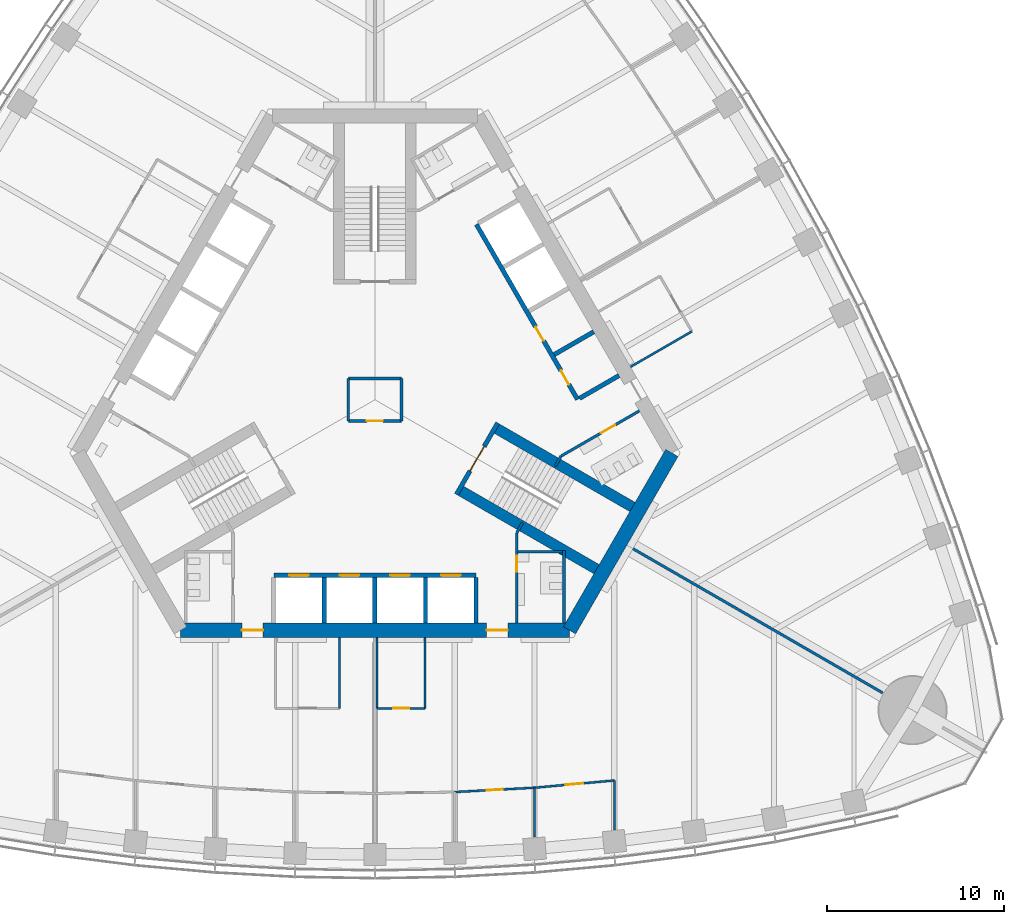
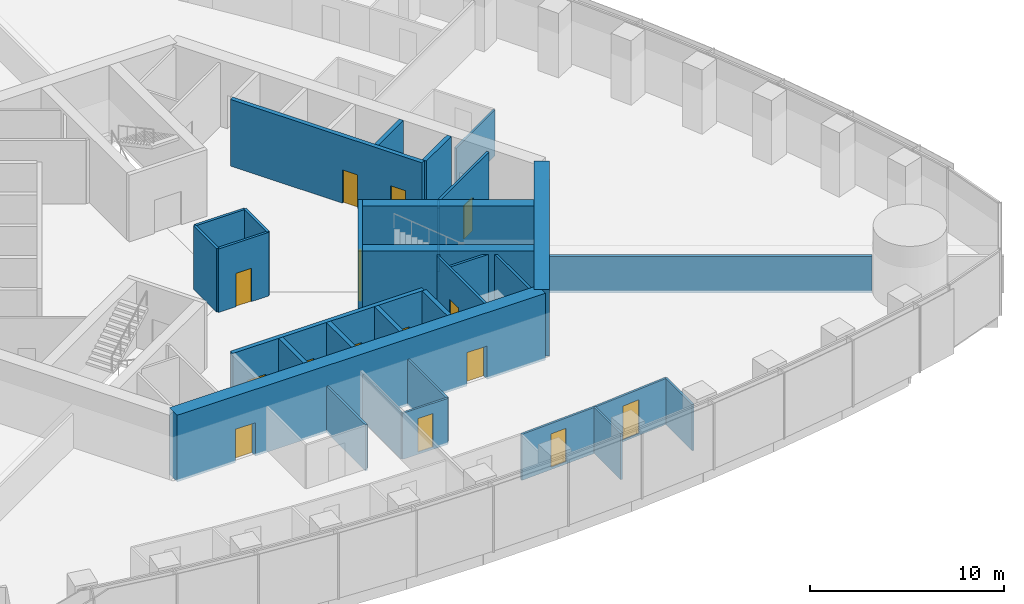
# One storey, part 12 of 19: 33 walls, 15 doors, 15 openings.
"""IFC4 building model written with IfcOpenShell, lengths in metres."""

from ifc_helpers import new_model, si_unit, direction, frame, frame_2d, origin, place, context, subcontext, project, spatial, rectangle, extrude, material, layer, layer_set, type_object, element, fill, save


model = new_model("IFC4")

# Units and contexts
model_context = context("Model", 3, precision=1e-05, world=origin(), true_north=direction((0.0, 1.0)))
body_context = subcontext(model_context, "Body", "Model", "MODEL_VIEW")
ifc_project = project(units=[si_unit("LENGTHUNIT", "METRE"), si_unit("AREAUNIT", "SQUARE_METRE"), si_unit("VOLUMEUNIT", "CUBIC_METRE"), si_unit("PLANEANGLEUNIT", "RADIAN"), si_unit("MASSUNIT", "GRAM", prefix="KILO")], contexts=[model_context])

# Site, building, storey
site_placement = place(None, origin())
site = spatial("IfcSite", under=ifc_project, at=site_placement, CompositionType="ELEMENT")
building_placement = place(site_placement, origin())
building = spatial("IfcBuilding", under=site, at=building_placement, Name="Trefoil Bronze Tower", CompositionType="ELEMENT")
storey_placement = place(building_placement, frame((0.0, 0.0, 140.89990234375)))
storey = spatial("IfcBuildingStorey", under=building, at=storey_placement, Name="L32", CompositionType="ELEMENT", Elevation=140.89990234375)

# Wall, openings, doors
ifc_material_1 = material(Name="Concrete B80", Category="concrete")
ifc_layer_1 = layer(ifc_material_1, 0.800048828125)
ifc_layer_set_1 = layer_set([ifc_layer_1], Name="Core wall 800")
wall_type_1 = type_object("IfcWallType", Name="Core wall 800", PredefinedType="SHEAR", material=ifc_layer_set_1)
wall_1_placement = place(storey_placement, frame((-10.9697265625, -13.0, 0.0), z_axis=(0.0, 0.0, 1.0), x_axis=(1.0, 0.0, 0.0)))
wall_1 = element("IfcWall", 1, at=wall_1_placement, inside=storey, type_object=wall_type_1, Name="Core long wall 1 L32", PredefinedType="SHEAR", context=body_context, shape_type="SweptSolid", body=[
    extrude(rectangle(XDim=21.939453125, YDim=0.800048828125, at=frame_2d((10.9697265625, 0.0))), origin(), (0.0, 0.0, 1.0), 4.2001953125),
])
opening_1_placement = place(wall_1_placement, frame((17.269775390625, 0.0, 0.0)))
opening_1 = element("IfcOpeningElement", 2, at=opening_1_placement, cuts=wall_1, Name="Opening D2", PredefinedType="OPENING", context=body_context, shape_type="SweptSolid", body=[
    extrude(rectangle(XDim=1.199951171875, YDim=2.10009765625, at=frame_2d((0.60009765625, 1.050048828125))), frame((0.0, 0.409912109375, 0.0), z_axis=(0.0, -1.0, 0.0), x_axis=(1.0, 0.0, 0.0)), (0.0, 0.0, 1.0), 0.820068359375),
])
opening_2_placement = place(wall_1_placement, frame((3.4697265625, 0.0, 0.0)))
opening_2 = element("IfcOpeningElement", 3, at=opening_2_placement, cuts=wall_1, Name="Opening D2", PredefinedType="OPENING", context=body_context, shape_type="SweptSolid", body=[
    extrude(rectangle(XDim=1.199951171875, YDim=2.10009765625, at=frame_2d((0.60009765625, 1.050048828125))), frame((0.0, 0.409912109375, 0.0), z_axis=(0.0, -1.0, 0.0), x_axis=(1.0, 0.0, 0.0)), (0.0, 0.0, 1.0), 0.820068359375),
])
ifc_material_2 = material(Name="Steel door", Category="steel")
door_type_1 = type_object("IfcDoorType", Name="Lobby door 1200", OperationType="SINGLE_SWING_RIGHT", PredefinedType="DOOR", material=ifc_material_2)
door_1_placement = place(opening_1_placement, origin())
door_1 = element("IfcDoor", 4, at=door_1_placement, inside=storey, type_object=door_type_1, Name="Lobby door F1+ L32", OperationType="SINGLE_SWING_RIGHT", OverallHeight=2.10009765625, OverallWidth=1.199951171875, PredefinedType="DOOR", context=body_context, shape_type="SweptSolid", body=[
    extrude(rectangle(XDim=1.199951171875, YDim=2.10009765625, at=frame_2d((0.60009765625, 1.050048828125))), frame((0.0, 0.02490234375, 0.0), z_axis=(0.0, -1.0, 0.0), x_axis=(1.0, 0.0, 0.0)), (0.0, 0.0, 1.0), 0.050048828125),
])
fill(opening_1, door_1)
door_2_placement = place(opening_2_placement, origin())
door_2 = element("IfcDoor", 5, at=door_2_placement, inside=storey, type_object=door_type_1, Name="Lobby door F1- L32", OperationType="SINGLE_SWING_LEFT", OverallHeight=2.10009765625, OverallWidth=1.199951171875, PredefinedType="DOOR", context=body_context, shape_type="SweptSolid", body=[
    extrude(rectangle(XDim=1.199951171875, YDim=2.10009765625, at=frame_2d((0.60009765625, 1.050048828125))), frame((0.0, 0.02490234375, 0.0), z_axis=(0.0, -1.0, 0.0), x_axis=(1.0, 0.0, 0.0)), (0.0, 0.0, 1.0), 0.050048828125),
])
fill(opening_2, door_2)

# Wall
wall_2_placement = place(storey_placement, frame((10.9697265625, -13.0, 0.0), z_axis=(0.0, 0.0, 1.0), x_axis=(0.499995765644, 0.866027848477, 0.0)))
element("IfcWall", 6, at=wall_2_placement, inside=storey, type_object=wall_type_1, Name="Core short wall 1 L32", PredefinedType="SHEAR", context=body_context, shape_type="SweptSolid", body=[
    extrude(rectangle(XDim=11.546875, YDim=0.800048828125, at=frame_2d((5.7734375, 0.0))), origin(), (0.0, 0.0, 1.0), 4.2001953125),
])

# Wall, opening, door
ifc_material_3 = material(Name="Glazed partition", Category="glass")
ifc_layer_2 = layer(ifc_material_3, 0.1201171875)
ifc_layer_set_2 = layer_set([ifc_layer_2], Name="Glazed partition 120")
wall_type_2 = type_object("IfcWallType", Name="Glazed partition 120", PredefinedType="PARTITIONING", material=ifc_layer_set_2)
wall_3_placement = place(storey_placement, frame((0.125, -17.39990234375, 0.0), z_axis=(0.0, 0.0, 1.0), x_axis=(1.0, 0.0, 0.0)))
wall_3 = element("IfcWall", 7, at=wall_3_placement, inside=storey, type_object=wall_type_2, Name="Partition F1 L32", PredefinedType="PARTITIONING", context=body_context, shape_type="SweptSolid", body=[
    extrude(rectangle(XDim=2.699951171875, YDim=0.1201171875, at=frame_2d((1.35009765625, 0.0))), origin(), (0.0, 0.0, 1.0), 2.900146484375),
])
opening_3_placement = place(wall_3_placement, frame((0.89990234375, 0.0, 0.14990234375)))
opening_3 = element("IfcOpeningElement", 8, at=opening_3_placement, cuts=wall_3, Name="Opening D8", PredefinedType="OPENING", context=body_context, shape_type="SweptSolid", body=[
    extrude(rectangle(XDim=0.89990234375, YDim=2.10009765625, at=frame_2d((0.449951171875, 1.050048828125))), frame((0.0, 0.070068359375, 0.0), z_axis=(0.0, -1.0, 0.0), x_axis=(1.0, 0.0, 0.0)), (0.0, 0.0, 1.0), 0.14013671875),
])
ifc_material_4 = material(Name="Timber door", Category="wood")
door_type_2 = type_object("IfcDoorType", Name="Office door 900", OperationType="SINGLE_SWING_LEFT", PredefinedType="DOOR", material=ifc_material_4)
door_3_placement = place(opening_3_placement, origin())
door_3 = element("IfcDoor", 9, at=door_3_placement, inside=storey, type_object=door_type_2, Name="Pantry door F1 L32", OperationType="SINGLE_SWING_LEFT", OverallHeight=2.10009765625, OverallWidth=0.89990234375, PredefinedType="DOOR", context=body_context, shape_type="SweptSolid", body=[
    extrude(rectangle(XDim=0.89990234375, YDim=2.10009765625, at=frame_2d((0.449951171875, 1.050048828125))), frame((0.0, 0.02490234375, 0.0), z_axis=(0.0, -1.0, 0.0), x_axis=(1.0, 0.0, 0.0)), (0.0, 0.0, 1.0), 0.050048828125),
])
fill(opening_3, door_3)

# Walls
for number, where, z_axis, x_axis, name in (
    (10, (0.125, -13.39990234375, 0.0), (0.0, 0.0, 1.0), (0.0, -1.0, 0.0), "Partition F1 L32"),
    (11, (2.824951171875, -13.39990234375, 0.0), (0.0, 0.0, 1.0), (0.0, -1.0, 0.0), "Partition F1 L32"),
    (12, (-2.0, -13.39990234375, 0.0), (0.0, 0.0, 1.0), (0.0, -1.0, 0.0), "Partition F1 L32"),
):
    element("IfcWall", number, at=place(storey_placement, frame(where, z_axis=z_axis, x_axis=x_axis)), inside=storey, type_object=wall_type_2, Name=name, PredefinedType="PARTITIONING", context=body_context, shape_type="SweptSolid", body=[
        extrude(rectangle(XDim=4.0, YDim=0.1201171875, at=frame_2d((2.0, 0.0))), origin(), (0.0, 0.0, 1.0), 2.900146484375),
    ])

# Wall, opening, door
wall_4_placement = place(storey_placement, frame((4.5, -22.11865234375, 0.0), z_axis=(0.0, 0.0, 1.0), x_axis=(0.998537376538, 0.054065771581, 0.0)))
wall_4 = element("IfcWall", 13, at=wall_4_placement, inside=storey, type_object=wall_type_2, Name="Partition F1 L32", PredefinedType="PARTITIONING", context=body_context, shape_type="SweptSolid", body=[
    extrude(rectangle(XDim=4.506591796875, YDim=0.1201171875, at=frame_2d((2.25341796875, 0.0))), origin(), (0.0, 0.0, 1.0), 2.900146484375),
])
opening_4_placement = place(wall_4_placement, frame((1.800048828125, 0.0, 0.14990234375)))
opening_4 = element("IfcOpeningElement", 14, at=opening_4_placement, cuts=wall_4, Name="Opening D8", PredefinedType="OPENING", context=body_context, shape_type="SweptSolid", body=[
    extrude(rectangle(XDim=0.89990234375, YDim=2.10009765625, at=frame_2d((0.449951171875, 1.050048828125))), frame((0.0, 0.070068359375, 0.0), z_axis=(0.0, -1.0, 0.0), x_axis=(1.0, 0.0, 0.0)), (0.0, 0.0, 1.0), 0.14013671875),
])
door_4_placement = place(opening_4_placement, frame((0.89990234375, 0.0, 0.0), z_axis=(0.0, 0.0, 1.0), x_axis=(-1.0, 0.0, 0.0)))
door_4 = element("IfcDoor", 15, at=door_4_placement, inside=storey, type_object=door_type_2, Name="Office door F1 L32", OperationType="SINGLE_SWING_RIGHT", OverallHeight=2.10009765625, OverallWidth=0.89990234375, PredefinedType="DOOR", context=body_context, shape_type="SweptSolid", body=[
    extrude(rectangle(XDim=0.89990234375, YDim=2.10009765625, at=frame_2d((0.449951171875, 1.050048828125))), frame((0.0, 0.02490234375, 0.0), z_axis=(0.0, -1.0, 0.0), x_axis=(1.0, 0.0, 0.0)), (0.0, 0.0, 1.0), 0.050048828125),
])
fill(opening_4, door_4)

wall_5_placement = place(storey_placement, frame((9.0, -21.875, 0.0), z_axis=(0.0, 0.0, 1.0), x_axis=(0.995930325215, 0.090126507295, 0.0)))
wall_5 = element("IfcWall", 16, at=wall_5_placement, inside=storey, type_object=wall_type_2, Name="Partition F1 L32", PredefinedType="PARTITIONING", context=body_context, shape_type="SweptSolid", body=[
    extrude(rectangle(XDim=4.518310546875, YDim=0.1201171875, at=frame_2d((2.25927734375, 0.0))), origin(), (0.0, 0.0, 1.0), 2.900146484375),
])
opening_5_placement = place(wall_5_placement, frame((1.75, 0.0, 0.14990234375)))
opening_5 = element("IfcOpeningElement", 17, at=opening_5_placement, cuts=wall_5, Name="Opening D9", PredefinedType="OPENING", context=body_context, shape_type="SweptSolid", body=[
    extrude(rectangle(XDim=1.0, YDim=2.10009765625, at=frame_2d((0.5, 1.050048828125))), frame((0.0, 0.070068359375, 0.0), z_axis=(0.0, -1.0, 0.0), x_axis=(1.0, 0.0, 0.0)), (0.0, 0.0, 1.0), 0.14013671875),
])
ifc_material_5 = material(Name="Glazed timber door", Category="wood")
door_type_3 = type_object("IfcDoorType", Name="Meeting room door 1000", OperationType="SINGLE_SWING_LEFT", PredefinedType="DOOR", material=ifc_material_5)
door_5_placement = place(opening_5_placement, frame((1.0, 0.0, 0.0), z_axis=(0.0, 0.0, 1.0), x_axis=(-1.0, 0.0, 0.0)))
door_5 = element("IfcDoor", 18, at=door_5_placement, inside=storey, type_object=door_type_3, Name="Meeting room door F1 L32", OperationType="SINGLE_SWING_RIGHT", OverallHeight=2.10009765625, OverallWidth=1.0, PredefinedType="DOOR", context=body_context, shape_type="SweptSolid", body=[
    extrude(rectangle(XDim=1.0, YDim=2.10009765625, at=frame_2d((0.5, 1.050048828125))), frame((0.0, 0.02490234375, 0.0), z_axis=(0.0, -1.0, 0.0), x_axis=(1.0, 0.0, 0.0)), (0.0, 0.0, 1.0), 0.050048828125),
])
fill(opening_5, door_5)

# Walls
wall_6_placement = place(storey_placement, frame((13.5, -21.4677734375, 0.0), z_axis=(0.0, 0.0, 1.0), x_axis=(0.0, -1.0, 0.0)))
element("IfcWall", 19, at=wall_6_placement, inside=storey, type_object=wall_type_2, Name="Partition F1 L32", PredefinedType="PARTITIONING", context=body_context, shape_type="SweptSolid", body=[
    extrude(rectangle(XDim=2.78662109375, YDim=0.1201171875, at=frame_2d((1.393310546875, 0.0))), origin(), (0.0, 0.0, 1.0), 2.900146484375),
])
wall_7_placement = place(storey_placement, frame((9.0, -21.875, 0.0), z_axis=(0.0, 0.0, 1.0), x_axis=(0.0, -1.0, 0.0)))
element("IfcWall", 20, at=wall_7_placement, inside=storey, type_object=wall_type_2, Name="Partition F1 L32", PredefinedType="PARTITIONING", context=body_context, shape_type="SweptSolid", body=[
    extrude(rectangle(XDim=2.791259765625, YDim=0.1201171875, at=frame_2d((1.3955078125, 0.0))), origin(), (0.0, 0.0, 1.0), 2.900146484375),
])
wall_8_placement = place(storey_placement, frame((14.40478515625, 1.850341796875, 0.0), z_axis=(0.0, 0.0, 1.0), x_axis=(0.866026010844, 0.49999894854, 0.0)))
element("IfcWall", 21, at=wall_8_placement, inside=storey, type_object=wall_type_2, Name="Partition F2 L32", PredefinedType="PARTITIONING", context=body_context, shape_type="SweptSolid", body=[
    extrude(rectangle(XDim=4.0, YDim=0.1201171875, at=frame_2d((2.0, 0.0))), origin(), (0.0, 0.0, 1.0), 2.900146484375),
])

# Wall, opening, door
ifc_material_6 = material(Name="Gypsum board on steel studs", Category="steel")
ifc_layer_3 = layer(ifc_material_6, 0.14990234375)
ifc_layer_set_3 = layer_set([ifc_layer_3], Name="Partition 150")
wall_type_3 = type_object("IfcWallType", Name="Partition 150", PredefinedType="PARTITIONING", material=ifc_layer_set_3)
wall_9_placement = place(storey_placement, frame((8.0, -7.5, 0.0), z_axis=(0.0, 0.0, 1.0), x_axis=(0.0, -1.0, 0.0)))
wall_9 = element("IfcWall", 22, at=wall_9_placement, inside=storey, type_object=wall_type_3, Name="Passage wall F1+ L32", PredefinedType="PARTITIONING", context=body_context, shape_type="SweptSolid", body=[
    extrude(rectangle(XDim=5.10009765625, YDim=0.14990234375, at=frame_2d((2.550048828125, 0.0))), origin(), (0.0, 0.0, 1.0), 4.0),
])
opening_6_placement = place(wall_9_placement, frame((1.300048828125, 0.0, 0.0)))
opening_6 = element("IfcOpeningElement", 23, at=opening_6_placement, cuts=wall_9, Name="Opening D3", PredefinedType="OPENING", context=body_context, shape_type="SweptSolid", body=[
    extrude(rectangle(XDim=0.89990234375, YDim=2.10009765625, at=frame_2d((0.449951171875, 1.050048828125))), frame((0.0, 0.0849609375, 0.0), z_axis=(0.0, -1.0, 0.0), x_axis=(1.0, 0.0, 0.0)), (0.0, 0.0, 1.0), 0.169921875),
])
ifc_material_7 = material(Name="Timber door", Category="wood")
door_type_4 = type_object("IfcDoorType", Name="WC door 900", OperationType="SINGLE_SWING_LEFT", PredefinedType="DOOR", material=ifc_material_7)
door_6_placement = place(opening_6_placement, origin())
door_6 = element("IfcDoor", 24, at=door_6_placement, inside=storey, type_object=door_type_4, Name="WC (men) door L32", OperationType="SINGLE_SWING_LEFT", OverallHeight=2.10009765625, OverallWidth=0.89990234375, PredefinedType="DOOR", context=body_context, shape_type="SweptSolid", body=[
    extrude(rectangle(XDim=0.89990234375, YDim=2.10009765625, at=frame_2d((0.449951171875, 1.050048828125))), frame((0.0, 0.02490234375, 0.0), z_axis=(0.0, -1.0, 0.0), x_axis=(1.0, 0.0, 0.0)), (0.0, 0.0, 1.0), 0.050048828125),
])
fill(opening_6, door_6)

wall_10_placement = place(storey_placement, frame((10.4951171875, -3.17822265625, 0.0), z_axis=(0.0, 0.0, 1.0), x_axis=(0.86602216432, 0.500005610874, 0.0)))
wall_10 = element("IfcWall", 25, at=wall_10_placement, inside=storey, type_object=wall_type_3, Name="Passage wall F2- L32", PredefinedType="PARTITIONING", context=body_context, shape_type="SweptSolid", body=[
    extrude(rectangle(XDim=5.10009765625, YDim=0.14990234375, at=frame_2d((2.550048828125, 0.0))), origin(), (0.0, 0.0, 1.0), 4.0),
])
opening_7_placement = place(wall_10_placement, frame((2.60009765625, 0.0, 0.0)))
opening_7 = element("IfcOpeningElement", 26, at=opening_7_placement, cuts=wall_10, Name="Opening D3", PredefinedType="OPENING", context=body_context, shape_type="SweptSolid", body=[
    extrude(rectangle(XDim=0.89990234375, YDim=2.10009765625, at=frame_2d((0.449951171875, 1.050048828125))), frame((0.0, 0.0849609375, 0.0), z_axis=(0.0, -1.0, 0.0), x_axis=(1.0, 0.0, 0.0)), (0.0, 0.0, 1.0), 0.169921875),
])
door_7_placement = place(opening_7_placement, frame((0.89990234375, 0.0, 0.0), z_axis=(0.0, 0.0, 1.0), x_axis=(-1.0, 0.0, 0.0)))
door_7 = element("IfcDoor", 27, at=door_7_placement, inside=storey, type_object=door_type_4, Name="WC (women) door L32", OperationType="SINGLE_SWING_LEFT", OverallHeight=2.10009765625, OverallWidth=0.89990234375, PredefinedType="DOOR", context=body_context, shape_type="SweptSolid", body=[
    extrude(rectangle(XDim=0.89990234375, YDim=2.10009765625, at=frame_2d((0.449951171875, 1.050048828125))), frame((0.0, 0.02490234375, 0.0), z_axis=(0.0, -1.0, 0.0), x_axis=(1.0, 0.0, 0.0)), (0.0, 0.0, 1.0), 0.050048828125),
])
fill(opening_7, door_7)

# Walls
for number, where, z_axis, x_axis, name in (
    (28, (8.0, -7.5, 0.0), (0.0, 0.0, 1.0), (0.499842556608, 0.866116284689, 0.0), "WC wall ST1-1 L32"),
    (29, (10.4951171875, -3.17822265625, 0.0), (0.0, 0.0, 1.0), (-0.499842556608, -0.866116284689, 0.0), "WC wall ST1+1 L32"),
):
    element("IfcWall", number, at=place(storey_placement, frame(where, z_axis=z_axis, x_axis=x_axis)), inside=storey, type_object=wall_type_3, Name=name, PredefinedType="PARTITIONING", context=body_context, shape_type="SweptSolid", body=[
        extrude(rectangle(XDim=0.645263671875, YDim=0.14990234375, at=frame_2d((0.32275390625, 0.0))), origin(), (0.0, 0.0, 1.0), 4.0),
    ])
wall_11_placement = place(storey_placement, frame((10.659912109375, -8.5, 0.0), z_axis=(0.0, 0.0, 1.0), x_axis=(0.0, -1.0, 0.0)))
element("IfcWall", 30, at=wall_11_placement, inside=storey, type_object=wall_type_3, Name="WC partition WC (men) L32", PredefinedType="PARTITIONING", context=body_context, shape_type="SweptSolid", body=[
    extrude(rectangle(XDim=4.10009765625, YDim=0.14990234375, at=frame_2d((2.050048828125, 0.0))), origin(), (0.0, 0.0, 1.0), 4.0),
])
wall_12_placement = place(storey_placement, frame((8.074951171875, -8.574951171875, 0.0), z_axis=(0.0, 0.0, 1.0), x_axis=(1.0, 0.0, 0.0)))
element("IfcWall", 31, at=wall_12_placement, inside=storey, type_object=wall_type_3, Name="WC partition WC (men) L32", PredefinedType="PARTITIONING", context=body_context, shape_type="SweptSolid", body=[
    extrude(rectangle(XDim=2.510009765625, YDim=0.14990234375, at=frame_2d((1.2548828125, 0.0))), origin(), (0.0, 0.0, 1.0), 4.0),
])
ifc_material_8 = material(Name="Gypsum board on steel studs", Category="steel")
ifc_layer_4 = layer(ifc_material_8, 0.14990234375)
ifc_layer_set_4 = layer_set([ifc_layer_4], Name="Party wall 150")
wall_type_4 = type_object("IfcWallType", Name="Party wall 150", PredefinedType="PARTITIONING", material=ifc_layer_set_4)
wall_13_placement = place(storey_placement, frame((14.202880859375, -8.199951171875, 0.0), z_axis=(0.0, 0.0, 1.0), x_axis=(0.866024668836, -0.500001272966, 0.0)))
element("IfcWall", 32, at=wall_13_placement, inside=storey, type_object=wall_type_4, Name="Party wall K1 L32", PredefinedType="PARTITIONING", context=body_context, shape_type="SweptSolid", body=[
    extrude(rectangle(XDim=16.64990234375, YDim=0.14990234375, at=frame_2d((8.324951171875, 0.0))), origin(), (0.0, 0.0, 1.0), 2.300048828125),
])

# Wall, opening, door
ifc_material_9 = material(Name="Gypsum board on steel studs", Category="steel")
ifc_layer_5 = layer(ifc_material_9, 0.14990234375)
ifc_layer_set_5 = layer_set([ifc_layer_5], Name="Riser wall 150")
wall_type_5 = type_object("IfcWallType", Name="Riser wall 150", PredefinedType="PARTITIONING", material=ifc_layer_set_5)
wall_14_placement = place(storey_placement, frame((-1.5, -1.199951171875, 0.0), z_axis=(0.0, 0.0, 1.0), x_axis=(1.0, 0.0, 0.0)))
wall_14 = element("IfcWall", 33, at=wall_14_placement, inside=storey, type_object=wall_type_5, Name="Riser wall L32", PredefinedType="PARTITIONING", context=body_context, shape_type="SweptSolid", body=[
    extrude(rectangle(XDim=3.0, YDim=0.14990234375, at=frame_2d((1.5, 0.0))), origin(), (0.0, 0.0, 1.0), 4.0),
])
opening_8_placement = place(wall_14_placement, frame((1.050048828125, 0.0, 0.0)))
opening_8 = element("IfcOpeningElement", 34, at=opening_8_placement, cuts=wall_14, Name="Opening D4", PredefinedType="OPENING", context=body_context, shape_type="SweptSolid", body=[
    extrude(rectangle(XDim=0.89990234375, YDim=2.10009765625, at=frame_2d((0.449951171875, 1.050048828125))), frame((0.0, 0.0849609375, 0.0), z_axis=(0.0, -1.0, 0.0), x_axis=(1.0, 0.0, 0.0)), (0.0, 0.0, 1.0), 0.169921875),
])
ifc_material_10 = material(Name="Steel door", Category="steel")
door_type_5 = type_object("IfcDoorType", Name="Riser door 900", OperationType="SINGLE_SWING_LEFT", PredefinedType="DOOR", material=ifc_material_10)
door_8_placement = place(opening_8_placement, frame((0.89990234375, 0.0, 0.0), z_axis=(0.0, 0.0, 1.0), x_axis=(-1.0, 0.0, 0.0)))
door_8 = element("IfcDoor", 35, at=door_8_placement, inside=storey, type_object=door_type_5, Name="Riser door L32", OperationType="SINGLE_SWING_LEFT", OverallHeight=2.10009765625, OverallWidth=0.89990234375, PredefinedType="DOOR", context=body_context, shape_type="SweptSolid", body=[
    extrude(rectangle(XDim=0.89990234375, YDim=2.10009765625, at=frame_2d((0.449951171875, 1.050048828125))), frame((0.0, 0.02490234375, 0.0), z_axis=(0.0, -1.0, 0.0), x_axis=(1.0, 0.0, 0.0)), (0.0, 0.0, 1.0), 0.050048828125),
])
fill(opening_8, door_8)

# Walls
wall_15_placement = place(storey_placement, frame((1.5, -1.199951171875, 0.0), z_axis=(0.0, 0.0, 1.0), x_axis=(0.0, 1.0, 0.0)))
element("IfcWall", 36, at=wall_15_placement, inside=storey, type_object=wall_type_5, Name="Riser wall L32", PredefinedType="PARTITIONING", context=body_context, shape_type="SweptSolid", body=[
    extrude(rectangle(XDim=2.39990234375, YDim=0.14990234375, at=frame_2d((1.199951171875, 0.0))), origin(), (0.0, 0.0, 1.0), 4.0),
])
wall_16_placement = place(storey_placement, frame((1.5, 1.199951171875, 0.0), z_axis=(0.0, 0.0, 1.0), x_axis=(-1.0, 0.0, 0.0)))
element("IfcWall", 37, at=wall_16_placement, inside=storey, type_object=wall_type_5, Name="Riser wall L32", PredefinedType="PARTITIONING", context=body_context, shape_type="SweptSolid", body=[
    extrude(rectangle(XDim=3.0, YDim=0.14990234375, at=frame_2d((1.5, 0.0))), origin(), (0.0, 0.0, 1.0), 4.0),
])
wall_17_placement = place(storey_placement, frame((-1.5, 1.199951171875, 0.0), z_axis=(0.0, 0.0, 1.0), x_axis=(0.0, -1.0, 0.0)))
element("IfcWall", 38, at=wall_17_placement, inside=storey, type_object=wall_type_5, Name="Riser wall L32", PredefinedType="PARTITIONING", context=body_context, shape_type="SweptSolid", body=[
    extrude(rectangle(XDim=2.39990234375, YDim=0.14990234375, at=frame_2d((1.199951171875, 0.0))), origin(), (0.0, 0.0, 1.0), 4.0),
])

# Wall, openings, doors
ifc_material_11 = material(Name="Concrete B80", Category="concrete")
ifc_layer_6 = layer(ifc_material_11, 0.25)
ifc_layer_set_6 = layer_set([ifc_layer_6], Name="Shaft wall 250")
wall_type_6 = type_object("IfcWallType", Name="Shaft wall 250", PredefinedType="SHEAR", material=ifc_layer_set_6)
wall_18_placement = place(storey_placement, frame((-5.699951171875, -9.89990234375, 0.0), z_axis=(0.0, 0.0, 1.0), x_axis=(1.0, 0.0, 0.0)))
wall_18 = element("IfcWall", 39, at=wall_18_placement, inside=storey, type_object=wall_type_6, Name="Lift shaft front wall A L32", PredefinedType="SHEAR", context=body_context, shape_type="SweptSolid", body=[
    extrude(rectangle(XDim=11.39990234375, YDim=0.25, at=frame_2d((5.699951171875, 0.0))), origin(), (0.0, 0.0, 1.0), 4.2001953125),
])
opening_9_placement = place(wall_18_placement, frame((0.875, 0.0, 0.0)))
opening_9 = element("IfcOpeningElement", 40, at=opening_9_placement, cuts=wall_18, Name="Opening LD-P21", PredefinedType="OPENING", context=body_context, shape_type="SweptSolid", body=[
    extrude(rectangle(XDim=1.10009765625, YDim=2.199951171875, at=frame_2d((0.550048828125, 1.10009765625))), frame((0.0, 0.135009765625, 0.0), z_axis=(0.0, -1.0, 0.0), x_axis=(1.0, 0.0, 0.0)), (0.0, 0.0, 1.0), 0.27001953125),
])
opening_10_placement = place(wall_18_placement, frame((3.72509765625, 0.0, 0.0)))
opening_10 = element("IfcOpeningElement", 41, at=opening_10_placement, cuts=wall_18, Name="Opening LD-P22", PredefinedType="OPENING", context=body_context, shape_type="SweptSolid", body=[
    extrude(rectangle(XDim=1.10009765625, YDim=2.199951171875, at=frame_2d((0.550048828125, 1.10009765625))), frame((0.0, 0.135009765625, 0.0), z_axis=(0.0, -1.0, 0.0), x_axis=(1.0, 0.0, 0.0)), (0.0, 0.0, 1.0), 0.27001953125),
])
opening_11_placement = place(wall_18_placement, frame((6.574951171875, 0.0, 0.0)))
opening_11 = element("IfcOpeningElement", 42, at=opening_11_placement, cuts=wall_18, Name="Opening LD-P23", PredefinedType="OPENING", context=body_context, shape_type="SweptSolid", body=[
    extrude(rectangle(XDim=1.10009765625, YDim=2.199951171875, at=frame_2d((0.550048828125, 1.10009765625))), frame((0.0, 0.135009765625, 0.0), z_axis=(0.0, -1.0, 0.0), x_axis=(1.0, 0.0, 0.0)), (0.0, 0.0, 1.0), 0.27001953125),
])
opening_12_placement = place(wall_18_placement, frame((9.425048828125, 0.0, 0.0)))
opening_12 = element("IfcOpeningElement", 43, at=opening_12_placement, cuts=wall_18, Name="Opening LD-P24", PredefinedType="OPENING", context=body_context, shape_type="SweptSolid", body=[
    extrude(rectangle(XDim=1.10009765625, YDim=2.199951171875, at=frame_2d((0.550048828125, 1.10009765625))), frame((0.0, 0.135009765625, 0.0), z_axis=(0.0, -1.0, 0.0), x_axis=(1.0, 0.0, 0.0)), (0.0, 0.0, 1.0), 0.27001953125),
])
ifc_material_12 = material(Name="Steel door", Category="steel")
door_type_6 = type_object("IfcDoorType", Name="Lift landing door 1100", OperationType="DOUBLE_DOOR_SLIDING", PredefinedType="DOOR", material=ifc_material_12)
door_9_placement = place(opening_9_placement, origin())
door_9 = element("IfcDoor", 44, at=door_9_placement, inside=storey, type_object=door_type_6, Name="Lift P21 landing door L32", OperationType="DOUBLE_DOOR_SLIDING", OverallHeight=2.199951171875, OverallWidth=1.10009765625, PredefinedType="DOOR", context=body_context, shape_type="SweptSolid", body=[
    extrude(rectangle(XDim=1.10009765625, YDim=2.199951171875, at=frame_2d((0.550048828125, 1.10009765625))), frame((0.0, 0.02490234375, 0.0), z_axis=(0.0, -1.0, 0.0), x_axis=(1.0, 0.0, 0.0)), (0.0, 0.0, 1.0), 0.050048828125),
])
fill(opening_9, door_9)
door_10_placement = place(opening_10_placement, origin())
door_10 = element("IfcDoor", 45, at=door_10_placement, inside=storey, type_object=door_type_6, Name="Lift P22 landing door L32", OperationType="DOUBLE_DOOR_SLIDING", OverallHeight=2.199951171875, OverallWidth=1.10009765625, PredefinedType="DOOR", context=body_context, shape_type="SweptSolid", body=[
    extrude(rectangle(XDim=1.10009765625, YDim=2.199951171875, at=frame_2d((0.550048828125, 1.10009765625))), frame((0.0, 0.02490234375, 0.0), z_axis=(0.0, -1.0, 0.0), x_axis=(1.0, 0.0, 0.0)), (0.0, 0.0, 1.0), 0.050048828125),
])
fill(opening_10, door_10)
door_11_placement = place(opening_11_placement, origin())
door_11 = element("IfcDoor", 46, at=door_11_placement, inside=storey, type_object=door_type_6, Name="Lift P23 landing door L32", OperationType="DOUBLE_DOOR_SLIDING", OverallHeight=2.199951171875, OverallWidth=1.10009765625, PredefinedType="DOOR", context=body_context, shape_type="SweptSolid", body=[
    extrude(rectangle(XDim=1.10009765625, YDim=2.199951171875, at=frame_2d((0.550048828125, 1.10009765625))), frame((0.0, 0.02490234375, 0.0), z_axis=(0.0, -1.0, 0.0), x_axis=(1.0, 0.0, 0.0)), (0.0, 0.0, 1.0), 0.050048828125),
])
fill(opening_11, door_11)
door_12_placement = place(opening_12_placement, origin())
door_12 = element("IfcDoor", 47, at=door_12_placement, inside=storey, type_object=door_type_6, Name="Lift P24 landing door L32", OperationType="DOUBLE_DOOR_SLIDING", OverallHeight=2.199951171875, OverallWidth=1.10009765625, PredefinedType="DOOR", context=body_context, shape_type="SweptSolid", body=[
    extrude(rectangle(XDim=1.10009765625, YDim=2.199951171875, at=frame_2d((0.550048828125, 1.10009765625))), frame((0.0, 0.02490234375, 0.0), z_axis=(0.0, -1.0, 0.0), x_axis=(1.0, 0.0, 0.0)), (0.0, 0.0, 1.0), 0.050048828125),
])
fill(opening_12, door_12)

# Walls
for number, where, z_axis, x_axis, name in (
    (48, (-2.85009765625, -10.02490234375, 0.0), (0.0, 0.0, 1.0), (0.0, -1.0, 0.0), "Lift shaft side wall A1 L32"),
    (49, (0.0, -10.02490234375, 0.0), (0.0, 0.0, 1.0), (0.0, -1.0, 0.0), "Lift shaft side wall A2 L32"),
    (50, (2.85009765625, -10.02490234375, 0.0), (0.0, 0.0, 1.0), (0.0, -1.0, 0.0), "Lift shaft side wall A3 L32"),
    (51, (5.699951171875, -10.02490234375, 0.0), (0.0, 0.0, 1.0), (0.0, -1.0, 0.0), "Lift shaft side wall A4 L32"),
):
    element("IfcWall", number, at=place(storey_placement, frame(where, z_axis=z_axis, x_axis=x_axis)), inside=storey, type_object=wall_type_6, Name=name, PredefinedType="SHEAR", context=body_context, shape_type="SweptSolid", body=[
        extrude(rectangle(XDim=2.5751953125, YDim=0.25, at=frame_2d((1.28759765625, 0.0))), origin(), (0.0, 0.0, 1.0), 4.2001953125),
    ])

# Wall, openings, doors
wall_19_placement = place(storey_placement, frame((11.423583984375, 0.013671875, 0.0), z_axis=(0.0, 0.0, 1.0), x_axis=(-0.500001763848, 0.866024385424, 0.0)))
wall_19 = element("IfcWall", 52, at=wall_19_placement, inside=storey, type_object=wall_type_6, Name="Lift shaft front wall B L32", PredefinedType="SHEAR", context=body_context, shape_type="SweptSolid", body=[
    extrude(rectangle(XDim=11.39990234375, YDim=0.25, at=frame_2d((5.699951171875, 0.0))), origin(), (0.0, 0.0, 1.0), 4.2001953125),
])
opening_13_placement = place(wall_19_placement, frame((0.97509765625, 0.0, 0.0)))
opening_13 = element("IfcOpeningElement", 53, at=opening_13_placement, cuts=wall_19, Name="Opening D12", PredefinedType="OPENING", context=body_context, shape_type="SweptSolid", body=[
    extrude(rectangle(XDim=0.89990234375, YDim=2.10009765625, at=frame_2d((0.449951171875, 1.050048828125))), frame((0.0, 0.135009765625, 0.0), z_axis=(0.0, -1.0, 0.0), x_axis=(1.0, 0.0, 0.0)), (0.0, 0.0, 1.0), 0.27001953125),
])
opening_14_placement = place(wall_19_placement, frame((3.824951171875, 0.0, 0.0)))
opening_14 = element("IfcOpeningElement", 54, at=opening_14_placement, cuts=wall_19, Name="Opening D12", PredefinedType="OPENING", context=body_context, shape_type="SweptSolid", body=[
    extrude(rectangle(XDim=0.89990234375, YDim=2.10009765625, at=frame_2d((0.449951171875, 1.050048828125))), frame((0.0, 0.135009765625, 0.0), z_axis=(0.0, -1.0, 0.0), x_axis=(1.0, 0.0, 0.0)), (0.0, 0.0, 1.0), 0.27001953125),
])
ifc_material_13 = material(Name="Steel door", Category="steel")
door_type_7 = type_object("IfcDoorType", Name="Shaft room door 900", OperationType="SINGLE_SWING_LEFT", PredefinedType="DOOR", material=ifc_material_13)
door_13_placement = place(opening_13_placement, frame((0.89990234375, 0.0, 0.0), z_axis=(0.0, 0.0, 1.0), x_axis=(-1.0, 0.0, 0.0)))
door_13 = element("IfcDoor", 55, at=door_13_placement, inside=storey, type_object=door_type_7, Name="Shaft room door B1 L32", OperationType="SINGLE_SWING_LEFT", OverallHeight=2.10009765625, OverallWidth=0.89990234375, PredefinedType="DOOR", context=body_context, shape_type="SweptSolid", body=[
    extrude(rectangle(XDim=0.89990234375, YDim=2.10009765625, at=frame_2d((0.449951171875, 1.050048828125))), frame((0.0, 0.02490234375, 0.0), z_axis=(0.0, -1.0, 0.0), x_axis=(1.0, 0.0, 0.0)), (0.0, 0.0, 1.0), 0.050048828125),
])
fill(opening_13, door_13)
door_14_placement = place(opening_14_placement, frame((0.89990234375, 0.0, 0.0), z_axis=(0.0, 0.0, 1.0), x_axis=(-1.0, 0.0, 0.0)))
door_14 = element("IfcDoor", 56, at=door_14_placement, inside=storey, type_object=door_type_7, Name="Shaft room door B2 L32", OperationType="SINGLE_SWING_RIGHT", OverallHeight=2.10009765625, OverallWidth=0.89990234375, PredefinedType="DOOR", context=body_context, shape_type="SweptSolid", body=[
    extrude(rectangle(XDim=0.89990234375, YDim=2.10009765625, at=frame_2d((0.449951171875, 1.050048828125))), frame((0.0, 0.02490234375, 0.0), z_axis=(0.0, -1.0, 0.0), x_axis=(1.0, 0.0, 0.0)), (0.0, 0.0, 1.0), 0.050048828125),
])
fill(opening_14, door_14)

# Walls
for number, where, z_axis, x_axis, name in (
    (57, (11.531982421875, 0.076171875, 0.0), (0.0, 0.0, 1.0), (0.866005588531, 0.500034319456, 0.0), "Lift shaft side wall B0 L32"),
    (58, (10.10693359375, 2.54443359375, 0.0), (0.0, 0.0, 1.0), (0.866046643894, 0.499963209246, 0.0), "Lift shaft side wall B1 L32"),
):
    element("IfcWall", number, at=place(storey_placement, frame(where, z_axis=z_axis, x_axis=x_axis)), inside=storey, type_object=wall_type_6, Name=name, PredefinedType="SHEAR", context=body_context, shape_type="SweptSolid", body=[
        extrude(rectangle(XDim=2.574951171875, YDim=0.25, at=frame_2d((1.28759765625, 0.0))), origin(), (0.0, 0.0, 1.0), 4.2001953125),
    ])

# Wall, opening, door
wall_20_placement = place(storey_placement, frame((4.5966796875, -5.338623046875, 0.0), z_axis=(0.0, 0.0, 1.0), x_axis=(0.499984536904, 0.866034331223, 0.0)))
wall_20 = element("IfcWall", 59, at=wall_20_placement, inside=storey, type_object=wall_type_6, Name="Stair end wall ST1 L32", PredefinedType="SHEAR", context=body_context, shape_type="SweptSolid", body=[
    extrude(rectangle(XDim=4.650146484375, YDim=0.25, at=frame_2d((2.3251953125, 0.0))), origin(), (0.0, 0.0, 1.0), 4.2001953125),
])
opening_15_placement = place(wall_20_placement, frame((1.52490234375, 0.0, 0.0)))
opening_15 = element("IfcOpeningElement", 60, at=opening_15_placement, cuts=wall_20, Name="Opening D1", PredefinedType="OPENING", context=body_context, shape_type="SweptSolid", body=[
    extrude(rectangle(XDim=1.60009765625, YDim=2.10009765625, at=frame_2d((0.800048828125, 1.050048828125))), frame((0.0, 0.135009765625, 0.0), z_axis=(0.0, -1.0, 0.0), x_axis=(1.0, 0.0, 0.0)), (0.0, 0.0, 1.0), 0.27001953125),
])
ifc_material_14 = material(Name="Steel door", Category="steel")
door_type_8 = type_object("IfcDoorType", Name="Stair door 1600", OperationType="DOUBLE_DOOR_SINGLE_SWING", PredefinedType="DOOR", material=ifc_material_14)
door_15_placement = place(opening_15_placement, frame((1.60009765625, 0.0, 0.0), z_axis=(0.0, 0.0, 1.0), x_axis=(-1.0, 0.0, 0.0)))
door_15 = element("IfcDoor", 61, at=door_15_placement, inside=storey, type_object=door_type_8, Name="Stair door ST1 L32", OperationType="DOUBLE_DOOR_SINGLE_SWING", OverallHeight=2.10009765625, OverallWidth=1.60009765625, PredefinedType="DOOR", context=body_context, shape_type="SweptSolid", body=[
    extrude(rectangle(XDim=1.60009765625, YDim=2.10009765625, at=frame_2d((0.800048828125, 1.050048828125))), frame((0.0, 0.02490234375, 0.0), z_axis=(0.0, -1.0, 0.0), x_axis=(1.0, 0.0, 0.0)), (0.0, 0.0, 1.0), 0.050048828125),
])
fill(opening_15, door_15)

# Walls
ifc_material_15 = material(Name="Concrete B80", Category="concrete")
ifc_layer_7 = layer(ifc_material_15, 0.60009765625)
ifc_layer_set_7 = layer_set([ifc_layer_7], Name="Stair wall 600")
wall_type_7 = type_object("IfcWallType", Name="Stair wall 600", PredefinedType="SHEAR", material=ifc_layer_set_7)
for number, where, z_axis, x_axis, name in (
    (62, (4.638427734375, -5.01611328125, 0.0), (0.0, 0.0, 1.0), (0.866019375473, -0.500010441196, 0.0), "Stair wall ST1 L32"),
    (63, (6.663330078125, -1.5087890625, 0.0), (0.0, 0.0, 1.0), (0.866019375473, -0.500010441196, 0.0), "Stair wall ST1 L32"),
):
    element("IfcWall", number, at=place(storey_placement, frame(where, z_axis=z_axis, x_axis=x_axis)), inside=storey, type_object=wall_type_7, Name=name, PredefinedType="SHEAR", context=body_context, shape_type="SweptSolid", body=[
        extrude(rectangle(XDim=9.074951171875, YDim=0.60009765625, at=frame_2d((4.53759765625, 0.0))), origin(), (0.0, 0.0, 1.0), 4.2001953125),
    ])

save(model, "model.ifc")
